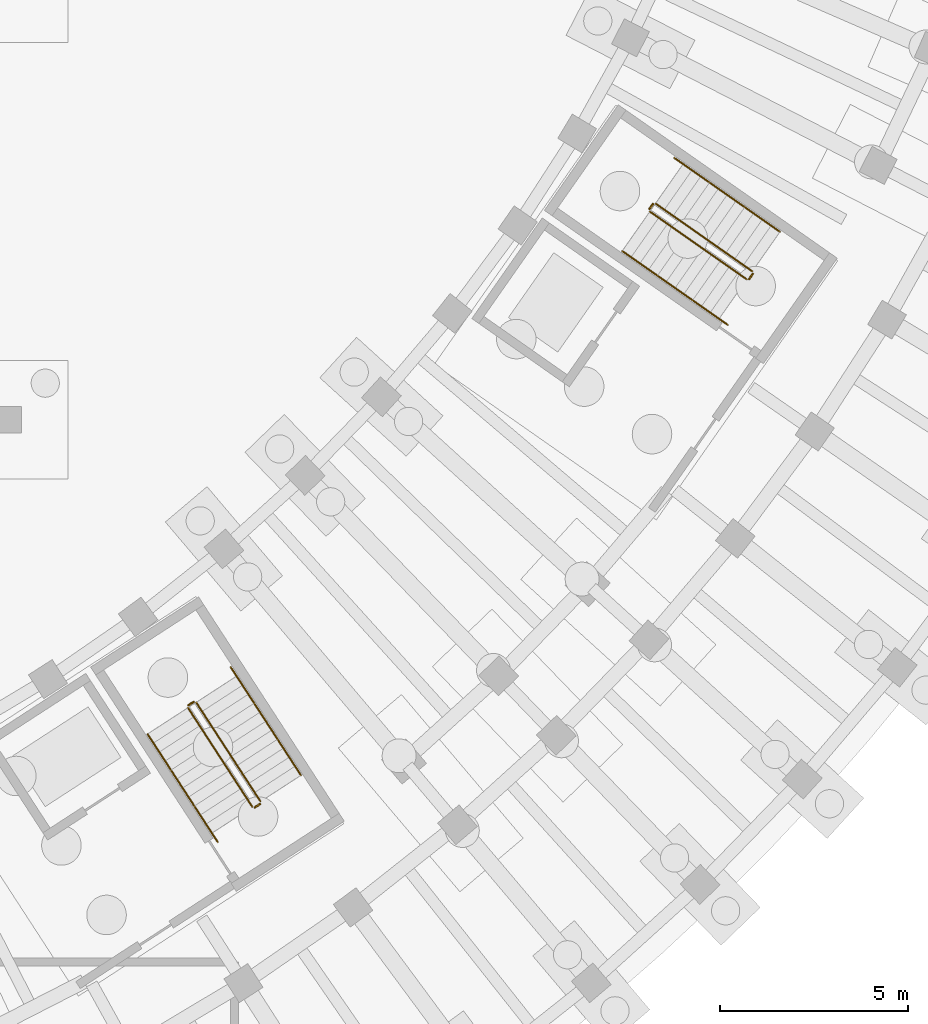
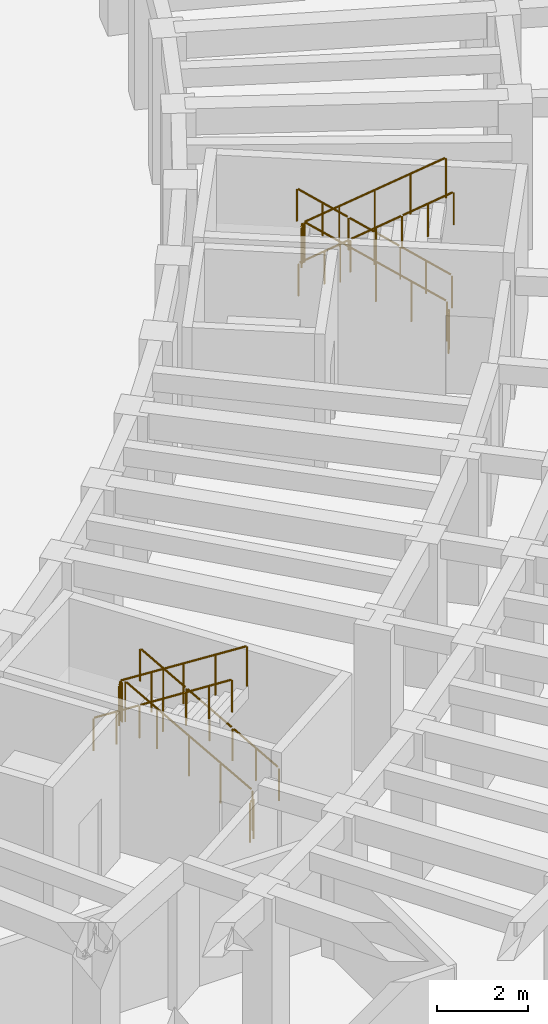
# One storey, part 27 of 29: 20 railings.
"""IFC4 building model written with IfcOpenShell, lengths in metres."""

from ifc_helpers import new_model, si_unit, direction, frame, origin, origin_2d, place, context, subcontext, project, spatial, circle, extrude, material, type_object, element, save


model = new_model("IFC4")

# Units and contexts
model_context = context("Model", 3, precision=1e-05, world=origin(), true_north=direction((0.0, 1.0)))
body_context = subcontext(model_context, "Body", "Model", "MODEL_VIEW")
ifc_project = project(units=[si_unit("LENGTHUNIT", "METRE"), si_unit("AREAUNIT", "SQUARE_METRE"), si_unit("VOLUMEUNIT", "CUBIC_METRE"), si_unit("PLANEANGLEUNIT", "RADIAN"), si_unit("MASSUNIT", "GRAM", prefix="KILO")], contexts=[model_context])

# Site, building, storey
site_placement = place(None, origin())
site = spatial("IfcSite", under=ifc_project, at=site_placement, CompositionType="ELEMENT")
building_placement = place(site_placement, origin())
building = spatial("IfcBuilding", under=site, at=building_placement, Name="Tanwirah Colonnade Gardens", CompositionType="ELEMENT")
storey_placement = place(building_placement, frame((0.0, 0.0, -4.199951171875)))
storey = spatial("IfcBuildingStorey", under=building, at=storey_placement, Name="B1", CompositionType="ELEMENT", Elevation=-4.199951171875)

# Railings
ifc_material_1 = material(Name="Powder-coated galvanized steel", Category="steel")
railing_type_1 = type_object("IfcRailingType", Name="GRD-ST110", PredefinedType="GUARDRAIL", material=ifc_material_1)
railing_1_placement = place(storey_placement, frame((150.691162109375, 23.865478515625, 0.175048828125)))
element("IfcRailing", 1, at=railing_1_placement, inside=storey, type_object=railing_type_1, Name="B1 ST-D1 stair guard 1", PredefinedType="GUARDRAIL", context=body_context, shape_type="SweptSolid", body=[
    extrude(circle(Radius=0.02392578125, at=origin_2d()), frame((-0.014404296875, 0.0224609375, 1.092529296875), z_axis=(-0.464110159517, 0.714715044736, 0.523243886405), x_axis=(-0.83868730023, -0.544613268689, 0.0)), (0.0, 0.0, 1.0), 3.615966796875),
    extrude(circle(Radius=0.02099609375, at=origin_2d()), origin(), (0.0, 0.0, 1.0), 1.049072265625),
    extrude(circle(Radius=0.02099609375, at=origin_2d()), frame((-0.4267578125, 0.6572265625, 0.481201171875)), (0.0, 0.0, 1.0), 1.049072265625),
    extrude(circle(Radius=0.02099609375, at=origin_2d()), frame((-0.853515625, 1.314453125, 0.96240234375)), (0.0, 0.0, 1.0), 1.049072265625),
    extrude(circle(Radius=0.02099609375, at=origin_2d()), frame((-1.280517578125, 1.971923828125, 1.443603515625)), (0.0, 0.0, 1.0), 1.049072265625),
    extrude(circle(Radius=0.02099609375, at=origin_2d()), frame((-1.707275390625, 2.629150390625, 1.9248046875)), (0.0, 0.0, 1.0), 1.049072265625),
])
railing_2_placement = place(storey_placement, frame((148.91455078125, 26.50927734375, 2.099853515625)))
element("IfcRailing", 2, at=railing_2_placement, inside=storey, type_object=railing_type_1, Name="B1 ST-D1 stair guard 2", PredefinedType="GUARDRAIL", context=body_context, shape_type="SweptSolid", body=[
    extrude(circle(Radius=0.02392578125, at=origin_2d()), frame((-0.026123046875, -0.01708984375, 1.076171875), z_axis=(-0.839036711771, -0.544074807633, 0.0), x_axis=(0.544074807633, -0.839036711771, 0.0)), (0.0, 0.0, 1.0), 0.09716796875),
    extrude(circle(Radius=0.02099609375, at=origin_2d()), origin(), (0.0, 0.0, 1.0), 1.049072265625),
    extrude(circle(Radius=0.02099609375, at=origin_2d()), frame((-0.134033203125, -0.0869140625, 0.0)), (0.0, 0.0, 1.0), 1.049072265625),
])
railing_3_placement = place(storey_placement, frame((148.765625, 26.35302734375, 2.27490234375)))
element("IfcRailing", 3, at=railing_3_placement, inside=storey, type_object=railing_type_1, Name="B1 ST-D1 stair guard 3", PredefinedType="GUARDRAIL", context=body_context, shape_type="SweptSolid", body=[
    extrude(circle(Radius=0.02392578125, at=origin_2d()), frame((0.014404296875, -0.0224609375, 1.092529296875), z_axis=(0.464146111474, -0.714668211962, 0.523275963536), x_axis=(0.838651727566, 0.544668045556, 0.0)), (0.0, 0.0, 1.0), 3.6162109375),
    extrude(circle(Radius=0.02099609375, at=origin_2d()), origin(), (0.0, 0.0, 1.0), 1.049072265625),
    extrude(circle(Radius=0.02099609375, at=origin_2d()), frame((0.4267578125, -0.6572265625, 0.481201171875)), (0.0, 0.0, 1.0), 1.049072265625),
    extrude(circle(Radius=0.02099609375, at=origin_2d()), frame((0.853759765625, -1.314453125, 0.96240234375)), (0.0, 0.0, 1.0), 1.049072265625),
    extrude(circle(Radius=0.02099609375, at=origin_2d()), frame((1.28076171875, -1.971923828125, 1.44384765625)), (0.0, 0.0, 1.0), 1.049072265625),
    extrude(circle(Radius=0.02099609375, at=origin_2d()), frame((1.70751953125, -2.629150390625, 1.925048828125)), (0.0, 0.0, 1.0), 1.049072265625),
])
railing_4_placement = place(storey_placement, frame((150.676513671875, 23.79638671875, 0.0)))
element("IfcRailing", 4, at=railing_4_placement, inside=storey, type_object=railing_type_1, Name="B1 ST-D1 stair guard 4", PredefinedType="GUARDRAIL", context=body_context, shape_type="SweptSolid", body=[
    extrude(circle(Radius=0.02392578125, at=origin_2d()), frame((-0.026123046875, -0.01708984375, 1.076171875), z_axis=(-0.838791880614, -0.544452184326, 0.0), x_axis=(0.544452184326, -0.838791880614, 0.0)), (0.0, 0.0, 1.0), 0.09765625),
    extrude(circle(Radius=0.02099609375, at=origin_2d()), origin(), (0.0, 0.0, 1.0), 1.049072265625),
    extrude(circle(Radius=0.02099609375, at=origin_2d()), frame((-0.13427734375, -0.087158203125, 0.0)), (0.0, 0.0, 1.0), 1.049072265625),
])
railing_5_placement = place(storey_placement, frame((163.751220703125, 37.94677734375, 0.175048828125)))
element("IfcRailing", 5, at=railing_5_placement, inside=storey, type_object=railing_type_1, Name="B1 ST-D2 stair guard 1", PredefinedType="GUARDRAIL", context=body_context, shape_type="SweptSolid", body=[
    extrude(circle(Radius=0.02392578125, at=origin_2d()), frame((-0.021728515625, 0.015380859375, 1.09228515625), z_axis=(-0.69807096353, 0.488828854203, 0.523204817613), x_axis=(-0.573603445772, -0.819133131425, 0.0)), (0.0, 0.0, 1.0), 3.616455078125),
    extrude(circle(Radius=0.02099609375, at=origin_2d()), origin(), (0.0, 0.0, 1.0), 1.049072265625),
    extrude(circle(Radius=0.02099609375, at=origin_2d()), frame((-0.64208984375, 0.44970703125, 0.481201171875)), (0.0, 0.0, 1.0), 1.049072265625),
    extrude(circle(Radius=0.02099609375, at=origin_2d()), frame((-1.2841796875, 0.899169921875, 0.96240234375)), (0.0, 0.0, 1.0), 1.049072265625),
    extrude(circle(Radius=0.02099609375, at=origin_2d()), frame((-1.926025390625, 1.3486328125, 1.443603515625)), (0.0, 0.0, 1.0), 1.049072265625),
    extrude(circle(Radius=0.02099609375, at=origin_2d()), frame((-2.568115234375, 1.79833984375, 1.9248046875)), (0.0, 0.0, 1.0), 1.049072265625),
])
railing_6_placement = place(storey_placement, frame((161.113525390625, 39.732666015625, 2.099853515625)))
element("IfcRailing", 6, at=railing_6_placement, inside=storey, type_object=railing_type_1, Name="B1 ST-D2 stair guard 2", PredefinedType="GUARDRAIL", context=body_context, shape_type="SweptSolid", body=[
    extrude(circle(Radius=0.02392578125, at=origin_2d()), frame((-0.017822265625, -0.025634765625, 1.076171875), z_axis=(-0.57356471828, -0.819160249246, 0.0), x_axis=(0.819160249246, -0.57356471828, 0.0)), (0.0, 0.0, 1.0), 0.097412109375),
    extrude(circle(Radius=0.02099609375, at=origin_2d()), origin(), (0.0, 0.0, 1.0), 1.049072265625),
    extrude(circle(Radius=0.02099609375, at=origin_2d()), frame((-0.091796875, -0.131103515625, 0.0)), (0.0, 0.0, 1.0), 1.049072265625),
])
railing_7_placement = place(storey_placement, frame((161.033935546875, 39.531982421875, 2.27490234375)))
element("IfcRailing", 7, at=railing_7_placement, inside=storey, type_object=railing_type_1, Name="B1 ST-D2 stair guard 3", PredefinedType="GUARDRAIL", context=body_context, shape_type="SweptSolid", body=[
    extrude(circle(Radius=0.02392578125, at=origin_2d()), frame((0.021728515625, -0.015380859375, 1.092529296875), z_axis=(0.698069367961, -0.488761374183, 0.523269984445), x_axis=(0.573551191943, 0.819169720034, 0.0)), (0.0, 0.0, 1.0), 3.616455078125),
    extrude(circle(Radius=0.02099609375, at=origin_2d()), origin(), (0.0, 0.0, 1.0), 1.049072265625),
    extrude(circle(Radius=0.02099609375, at=origin_2d()), frame((0.64208984375, -0.449462890625, 0.481201171875)), (0.0, 0.0, 1.0), 1.049072265625),
    extrude(circle(Radius=0.02099609375, at=origin_2d()), frame((1.2841796875, -0.89892578125, 0.96240234375)), (0.0, 0.0, 1.0), 1.049072265625),
    extrude(circle(Radius=0.02099609375, at=origin_2d()), frame((1.926025390625, -1.3486328125, 1.44384765625)), (0.0, 0.0, 1.0), 1.049072265625),
    extrude(circle(Radius=0.02099609375, at=origin_2d()), frame((2.568115234375, -1.798095703125, 1.925048828125)), (0.0, 0.0, 1.0), 1.049072265625),
])
railing_8_placement = place(storey_placement, frame((163.763427734375, 37.877197265625, 0.0)))
element("IfcRailing", 8, at=railing_8_placement, inside=storey, type_object=railing_type_1, Name="B1 ST-D2 stair guard 4", PredefinedType="GUARDRAIL", context=body_context, shape_type="SweptSolid", body=[
    extrude(circle(Radius=0.02392578125, at=origin_2d()), frame((-0.017822265625, -0.025634765625, 1.076171875), z_axis=(-0.57356471828, -0.819160249246, 0.0), x_axis=(0.819160249246, -0.57356471828, 0.0)), (0.0, 0.0, 1.0), 0.097412109375),
    extrude(circle(Radius=0.02099609375, at=origin_2d()), origin(), (0.0, 0.0, 1.0), 1.049072265625),
    extrude(circle(Radius=0.02099609375, at=origin_2d()), frame((-0.091796875, -0.131103515625, 0.0)), (0.0, 0.0, 1.0), 1.049072265625),
])
ifc_material_2 = material(Name="Brushed bronze stainless steel", Category="steel")
railing_type_2 = type_object("IfcRailingType", Name="HR-ST090", PredefinedType="HANDRAIL", material=ifc_material_2)
railing_9_placement = place(storey_placement, frame((151.7646484375, 24.5625, 0.175048828125)))
element("IfcRailing", 9, at=railing_9_placement, inside=storey, type_object=railing_type_2, Name="B1 ST-D1 stair handrail 1", PredefinedType="HANDRAIL", context=body_context, shape_type="SweptSolid", body=[
    extrude(circle(Radius=0.02392578125, at=origin_2d()), frame((-0.014404296875, 0.022216796875, 0.892333984375), z_axis=(-0.463054631446, 0.713064072648, 0.526421918801), x_axis=(-0.838678407117, -0.544626963559, 0.0)), (0.0, 0.0, 1.0), 1.2783203125),
    extrude(circle(Radius=0.02099609375, at=origin_2d()), origin(), (0.0, 0.0, 1.0), 0.848876953125),
    extrude(circle(Radius=0.02099609375, at=origin_2d()), frame((-0.310546875, 0.47802734375, 0.35302734375)), (0.0, 0.0, 1.0), 0.848876953125),
    extrude(circle(Radius=0.02099609375, at=origin_2d()), frame((-0.620849609375, 0.9560546875, 0.705810546875)), (0.0, 0.0, 1.0), 0.848876953125),
])
railing_10_placement = place(storey_placement, frame((151.143798828125, 25.5185546875, 0.880859375)))
element("IfcRailing", 10, at=railing_10_placement, inside=storey, type_object=railing_type_2, Name="B1 ST-D1 stair handrail 2", PredefinedType="HANDRAIL", context=body_context, shape_type="SweptSolid", body=[
    extrude(circle(Radius=0.02392578125, at=origin_2d()), frame((-0.014404296875, 0.022216796875, 0.892333984375), z_axis=(-0.46295014102, 0.713085215247, 0.526485178069), x_axis=(-0.838741915939, -0.544529152982, 0.0)), (0.0, 0.0, 1.0), 1.278564453125),
    extrude(circle(Radius=0.02099609375, at=origin_2d()), origin(), (0.0, 0.0, 1.0), 0.848876953125),
    extrude(circle(Radius=0.02099609375, at=origin_2d()), frame((-0.310546875, 0.47802734375, 0.35302734375)), (0.0, 0.0, 1.0), 0.848876953125),
    extrude(circle(Radius=0.02099609375, at=origin_2d()), frame((-0.620849609375, 0.956298828125, 0.7060546875)), (0.0, 0.0, 1.0), 0.848876953125),
])
railing_11_placement = place(storey_placement, frame((150.52294921875, 26.474853515625, 1.5869140625)))
element("IfcRailing", 11, at=railing_11_placement, inside=storey, type_object=railing_type_2, Name="B1 ST-D1 stair handrail 3", PredefinedType="HANDRAIL", context=body_context, shape_type="SweptSolid", body=[
    extrude(circle(Radius=0.02392578125, at=origin_2d()), frame((-0.014404296875, 0.022216796875, 0.892333984375), z_axis=(-0.463010243534, 0.712995719103, 0.526553529021), x_axis=(-0.838678407117, -0.544626963559, 0.0)), (0.0, 0.0, 1.0), 1.2783203125),
    extrude(circle(Radius=0.02099609375, at=origin_2d()), origin(), (0.0, 0.0, 1.0), 0.848876953125),
    extrude(circle(Radius=0.02099609375, at=origin_2d()), frame((-0.310546875, 0.47802734375, 0.35302734375)), (0.0, 0.0, 1.0), 0.848876953125),
    extrude(circle(Radius=0.02099609375, at=origin_2d()), frame((-0.620849609375, 0.9560546875, 0.7060546875)), (0.0, 0.0, 1.0), 0.848876953125),
])
railing_12_placement = place(storey_placement, frame((147.692138671875, 25.656005859375, 2.27490234375)))
element("IfcRailing", 12, at=railing_12_placement, inside=storey, type_object=railing_type_2, Name="B1 ST-D1 stair handrail 4", PredefinedType="HANDRAIL", context=body_context, shape_type="SweptSolid", body=[
    extrude(circle(Radius=0.02392578125, at=origin_2d()), frame((0.014404296875, -0.022216796875, 0.892333984375), z_axis=(0.463153265481, -0.712935608343, 0.526509136703), x_axis=(0.83858058056, 0.544777578382, 0.0)), (0.0, 0.0, 1.0), 1.278564453125),
    extrude(circle(Radius=0.02099609375, at=origin_2d()), origin(), (0.0, 0.0, 1.0), 0.848876953125),
    extrude(circle(Radius=0.02099609375, at=origin_2d()), frame((0.310546875, -0.47802734375, 0.35302734375)), (0.0, 0.0, 1.0), 0.848876953125),
    extrude(circle(Radius=0.02099609375, at=origin_2d()), frame((0.62109375, -0.9560546875, 0.7060546875)), (0.0, 0.0, 1.0), 0.848876953125),
])
railing_13_placement = place(storey_placement, frame((148.313232421875, 24.699951171875, 2.98095703125)))
element("IfcRailing", 13, at=railing_13_placement, inside=storey, type_object=railing_type_2, Name="B1 ST-D1 stair handrail 5", PredefinedType="HANDRAIL", context=body_context, shape_type="SweptSolid", body=[
    extrude(circle(Radius=0.02392578125, at=origin_2d()), frame((0.014404296875, -0.022216796875, 0.892333984375), z_axis=(0.46295014102, -0.713085215247, 0.526485178069), x_axis=(0.838741915939, 0.544529152982, 0.0)), (0.0, 0.0, 1.0), 1.278564453125),
    extrude(circle(Radius=0.02099609375, at=origin_2d()), origin(), (0.0, 0.0, 1.0), 0.848876953125),
    extrude(circle(Radius=0.02099609375, at=origin_2d()), frame((0.310546875, -0.47802734375, 0.35302734375)), (0.0, 0.0, 1.0), 0.848876953125),
    extrude(circle(Radius=0.02099609375, at=origin_2d()), frame((0.620849609375, -0.956298828125, 0.7060546875)), (0.0, 0.0, 1.0), 0.848876953125),
])
railing_14_placement = place(storey_placement, frame((148.93408203125, 23.74365234375, 3.68701171875)))
element("IfcRailing", 14, at=railing_14_placement, inside=storey, type_object=railing_type_2, Name="B1 ST-D1 stair handrail 6", PredefinedType="HANDRAIL", context=body_context, shape_type="SweptSolid", body=[
    extrude(circle(Radius=0.02392578125, at=origin_2d()), frame((0.014404296875, -0.022216796875, 0.892333984375), z_axis=(0.463010243534, -0.712995719103, 0.526553529021), x_axis=(0.838678407117, 0.544626963559, 0.0)), (0.0, 0.0, 1.0), 1.2783203125),
    extrude(circle(Radius=0.02099609375, at=origin_2d()), origin(), (0.0, 0.0, 1.0), 0.848876953125),
    extrude(circle(Radius=0.02099609375, at=origin_2d()), frame((0.310546875, -0.47802734375, 0.35302734375)), (0.0, 0.0, 1.0), 0.848876953125),
    extrude(circle(Radius=0.02099609375, at=origin_2d()), frame((0.620849609375, -0.9560546875, 0.7060546875)), (0.0, 0.0, 1.0), 0.848876953125),
])
railing_15_placement = place(storey_placement, frame((164.4853515625, 38.995361328125, 0.175048828125)))
element("IfcRailing", 15, at=railing_15_placement, inside=storey, type_object=railing_type_2, Name="B1 ST-D2 stair handrail 1", PredefinedType="HANDRAIL", context=body_context, shape_type="SweptSolid", body=[
    extrude(circle(Radius=0.02392578125, at=origin_2d()), frame((-0.021728515625, 0.01513671875, 0.892333984375), z_axis=(-0.696489226352, 0.48763350279, 0.526418393042), x_axis=(-0.573534209649, -0.819181610122, 0.0)), (0.0, 0.0, 1.0), 1.2783203125),
    extrude(circle(Radius=0.02099609375, at=origin_2d()), origin(), (0.0, 0.0, 1.0), 0.848876953125),
    extrude(circle(Radius=0.02099609375, at=origin_2d()), frame((-0.466796875, 0.326904296875, 0.35302734375)), (0.0, 0.0, 1.0), 0.848876953125),
    extrude(circle(Radius=0.02099609375, at=origin_2d()), frame((-0.933837890625, 0.65380859375, 0.705810546875)), (0.0, 0.0, 1.0), 0.848876953125),
])
railing_16_placement = place(storey_placement, frame((163.551513671875, 39.649169921875, 0.880859375)))
element("IfcRailing", 16, at=railing_16_placement, inside=storey, type_object=railing_type_2, Name="B1 ST-D2 stair handrail 2", PredefinedType="HANDRAIL", context=body_context, shape_type="SweptSolid", body=[
    extrude(circle(Radius=0.02392578125, at=origin_2d()), frame((-0.021728515625, 0.01513671875, 0.892333984375), z_axis=(-0.696360633971, 0.487725526382, 0.526503255803), x_axis=(-0.573677900503, -0.81908098896, 0.0)), (0.0, 0.0, 1.0), 1.278564453125),
    extrude(circle(Radius=0.02099609375, at=origin_2d()), origin(), (0.0, 0.0, 1.0), 0.848876953125),
    extrude(circle(Radius=0.02099609375, at=origin_2d()), frame((-0.466796875, 0.3271484375, 0.35302734375)), (0.0, 0.0, 1.0), 0.848876953125),
    extrude(circle(Radius=0.02099609375, at=origin_2d()), frame((-0.933837890625, 0.654052734375, 0.7060546875)), (0.0, 0.0, 1.0), 0.848876953125),
])
railing_17_placement = place(storey_placement, frame((162.61767578125, 40.30322265625, 1.5869140625)))
element("IfcRailing", 17, at=railing_17_placement, inside=storey, type_object=railing_type_2, Name="B1 ST-D2 stair handrail 3", PredefinedType="HANDRAIL", context=body_context, shape_type="SweptSolid", body=[
    extrude(circle(Radius=0.02392578125, at=origin_2d()), frame((-0.021728515625, 0.01513671875, 0.892333984375), z_axis=(-0.696422462548, 0.487586759399, 0.526550003056), x_axis=(-0.573534209649, -0.819181610122, 0.0)), (0.0, 0.0, 1.0), 1.2783203125),
    extrude(circle(Radius=0.02099609375, at=origin_2d()), origin(), (0.0, 0.0, 1.0), 0.848876953125),
    extrude(circle(Radius=0.02099609375, at=origin_2d()), frame((-0.466796875, 0.326904296875, 0.35302734375)), (0.0, 0.0, 1.0), 0.848876953125),
    extrude(circle(Radius=0.02099609375, at=origin_2d()), frame((-0.933837890625, 0.65380859375, 0.7060546875)), (0.0, 0.0, 1.0), 0.848876953125),
])
for number, where, name in (
    (18, (160.2998046875, 38.4833984375, 2.27490234375), "B1 ST-D2 stair handrail 4"),
    (19, (161.233642578125, 37.82958984375, 2.98095703125), "B1 ST-D2 stair handrail 5"),
    (20, (162.16748046875, 37.17578125, 3.68701171875), "B1 ST-D2 stair handrail 6"),
):
    element("IfcRailing", number, at=place(storey_placement, frame(where)), inside=storey, type_object=railing_type_2, Name=name, PredefinedType="HANDRAIL", context=body_context, shape_type="SweptSolid", body=[
        extrude(circle(Radius=0.02392578125, at=origin_2d()), frame((0.021728515625, -0.01513671875, 0.892333984375), z_axis=(0.696422462548, -0.487586759399, 0.526550003056), x_axis=(0.573534209649, 0.819181610122, 0.0)), (0.0, 0.0, 1.0), 1.2783203125),
        extrude(circle(Radius=0.02099609375, at=origin_2d()), origin(), (0.0, 0.0, 1.0), 0.848876953125),
        extrude(circle(Radius=0.02099609375, at=origin_2d()), frame((0.466796875, -0.326904296875, 0.35302734375)), (0.0, 0.0, 1.0), 0.848876953125),
        extrude(circle(Radius=0.02099609375, at=origin_2d()), frame((0.933837890625, -0.65380859375, 0.7060546875)), (0.0, 0.0, 1.0), 0.848876953125),
    ])

save(model, "model.ifc")
